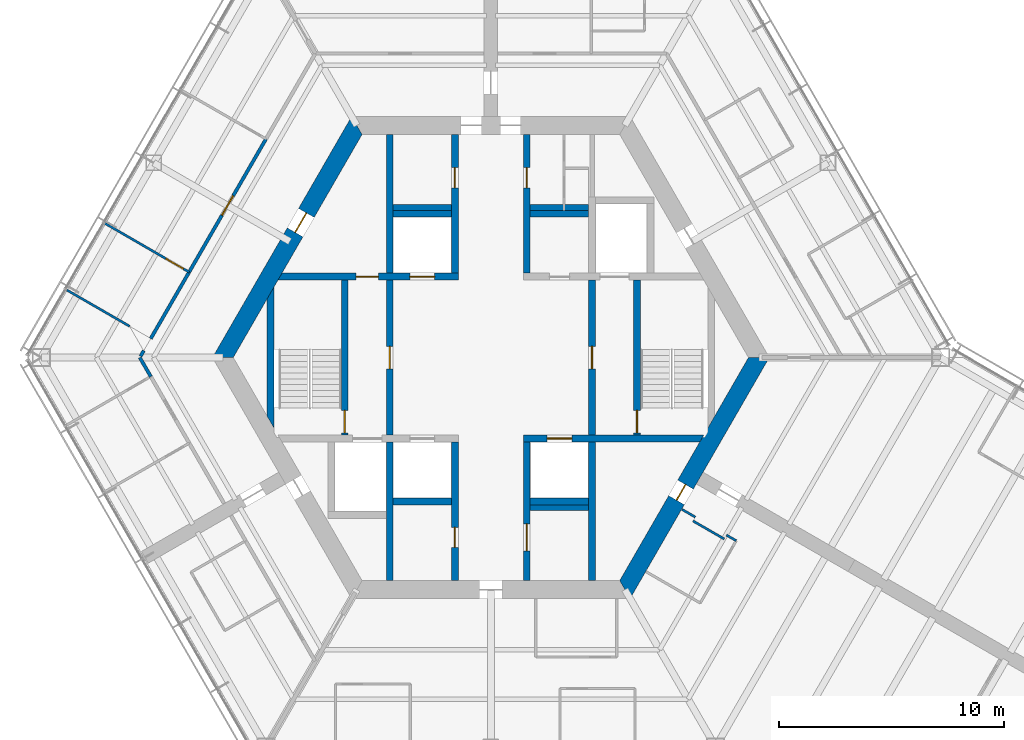
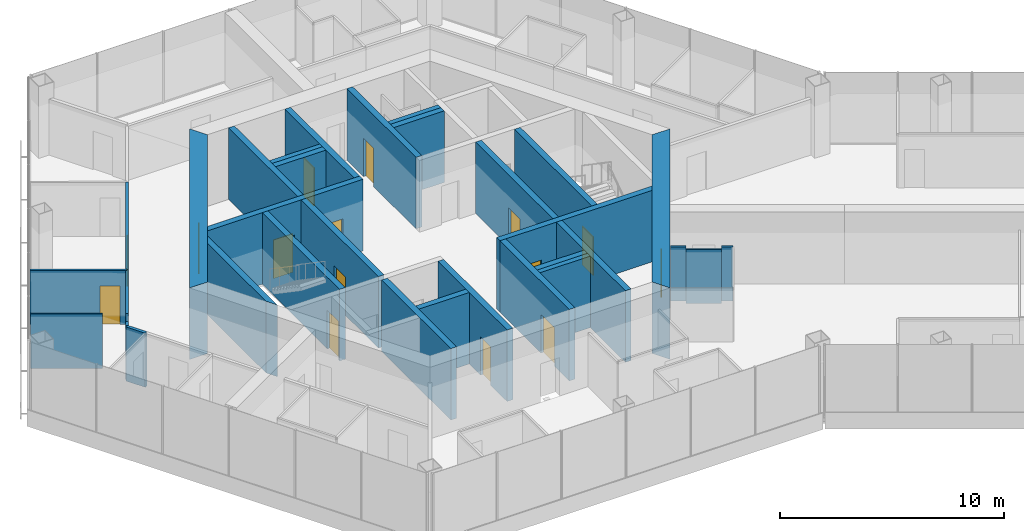
# One storey, part 11 of 17: 32 walls, 15 doors, 15 openings.
"""IFC4 building model written with IfcOpenShell, lengths in metres."""

from ifc_helpers import new_model, si_unit, direction, frame, frame_2d, origin, place, context, subcontext, project, spatial, polyline, rectangle, outline, extrude, material, layer, layer_set, type_object, element, fill, save


model = new_model("IFC4")

# Units and contexts
model_context = context("Model", 3, precision=1e-05, world=origin(), true_north=direction((0.0, 1.0)))
body_context = subcontext(model_context, "Body", "Model", "MODEL_VIEW")
ifc_project = project(units=[si_unit("LENGTHUNIT", "METRE"), si_unit("AREAUNIT", "SQUARE_METRE"), si_unit("VOLUMEUNIT", "CUBIC_METRE"), si_unit("PLANEANGLEUNIT", "RADIAN"), si_unit("MASSUNIT", "GRAM", prefix="KILO")], contexts=[model_context])

# Site, building, storey
site_placement = place(None, origin())
site = spatial("IfcSite", under=ifc_project, at=site_placement, CompositionType="ELEMENT")
building_placement = place(site_placement, origin())
building = spatial("IfcBuilding", under=site, at=building_placement, Name="Kasaneha Research Tower", CompositionType="ELEMENT")
storey_placement = place(building_placement, frame((0.0, 0.0, 224.5)))
storey = spatial("IfcBuildingStorey", under=building, at=storey_placement, Name="L56", CompositionType="ELEMENT", Elevation=224.5)

# Wall, openings, doors
ifc_material_1 = material(Name="Concrete Fc60", Category="concrete")
ifc_layer_1 = layer(ifc_material_1, 0.300048828125)
ifc_layer_set_1 = layer_set([ifc_layer_1], Name="Core internal wall 300 Fc60")
wall_type_1 = type_object("IfcWallType", Name="Core internal wall 300 Fc60", PredefinedType="SHEAR", material=ifc_layer_set_1)
wall_1_placement = place(storey_placement, frame((-9.3818359375, 3.60009765625, 0.0), z_axis=(0.0, 0.0, 1.0), x_axis=(1.0, 0.0, 0.0)))
wall_1 = element("IfcWall", 1, at=wall_1_placement, inside=storey, type_object=wall_type_1, Name="Core wall W1W L56", PredefinedType="SHEAR", context=body_context, shape_type="SweptSolid", body=[
    extrude(outline(polyline([(-0.086669921875, -0.14990234375), (3.3818359375, -0.14990234375), (4.3818359375, -0.14990234375), (5.781982421875, -0.14990234375), (6.882080078125, -0.14990234375), (7.931884765625, -0.14990234375), (7.931884765625, 0.14990234375), (6.882080078125, 0.14990234375), (5.781982421875, 0.14990234375), (4.3818359375, 0.14990234375), (3.3818359375, 0.14990234375), (0.086669921875, 0.14990234375), (-0.086669921875, -0.14990234375)])), origin(), (0.0, 0.0, 1.0), 3.89990234375),
])
opening_1_placement = place(wall_1_placement, frame((3.3818359375, 0.0, 0.0)))
opening_1 = element("IfcOpeningElement", 2, at=opening_1_placement, cuts=wall_1, Name="Opening L56-D12", PredefinedType="OPENING", context=body_context, shape_type="SweptSolid", body=[
    extrude(rectangle(XDim=1.0, YDim=2.10009765625, at=frame_2d((0.5, 1.050048828125))), frame((0.0, 0.16015625, 0.0), z_axis=(0.0, -1.0, 0.0), x_axis=(1.0, 0.0, 0.0)), (0.0, 0.0, 1.0), 0.320068359375),
])
opening_2_placement = place(wall_1_placement, frame((5.781982421875, 0.0, 0.0)))
opening_2 = element("IfcOpeningElement", 3, at=opening_2_placement, cuts=wall_1, Name="Opening LD-LH2-L56", PredefinedType="OPENING", context=body_context, shape_type="SweptSolid", body=[
    extrude(rectangle(XDim=1.10009765625, YDim=2.10009765625, at=frame_2d((0.550048828125, 1.050048828125))), frame((0.0, 0.16015625, 0.0), z_axis=(0.0, -1.0, 0.0), x_axis=(1.0, 0.0, 0.0)), (0.0, 0.0, 1.0), 0.320068359375),
])
ifc_material_2 = material(Name="Steel", Category="steel")
door_type_1 = type_object("IfcDoorType", Name="Lift landing door 1100x2100", OperationType="DOUBLE_DOOR_SLIDING", PredefinedType="DOOR", material=ifc_material_2)
door_1_placement = place(opening_2_placement, origin())
door_1 = element("IfcDoor", 4, at=door_1_placement, inside=storey, type_object=door_type_1, Name="Landing door LH2 LD-LH2-L56", OperationType="DOUBLE_DOOR_SLIDING", OverallHeight=2.10009765625, OverallWidth=1.10009765625, PredefinedType="DOOR", context=body_context, shape_type="SweptSolid", body=[
    extrude(rectangle(XDim=1.10009765625, YDim=2.10009765625, at=frame_2d((0.550048828125, 1.050048828125))), frame((0.0, 0.02490234375, 0.0), z_axis=(0.0, -1.0, 0.0), x_axis=(1.0, 0.0, 0.0)), (0.0, 0.0, 1.0), 0.050048828125),
])
fill(opening_2, door_1)
ifc_material_3 = material(Name="Steel", Category="steel")
door_type_2 = type_object("IfcDoorType", Name="Specified fire door FD60 1000x2100", OperationType="NOTDEFINED", PredefinedType="DOOR", material=ifc_material_3)
door_2_placement = place(opening_1_placement, origin())
door_2 = element("IfcDoor", 5, at=door_2_placement, inside=storey, type_object=door_type_2, Name="Vestibule to lobby door L56-D12", OperationType="SINGLE_SWING_LEFT", OverallHeight=2.10009765625, OverallWidth=1.0, PredefinedType="DOOR", context=body_context, shape_type="SweptSolid", body=[
    extrude(rectangle(XDim=1.0, YDim=2.10009765625, at=frame_2d((0.5, 1.050048828125))), frame((0.0, 0.02490234375, 0.0), z_axis=(0.0, -1.0, 0.0), x_axis=(1.0, 0.0, 0.0)), (0.0, 0.0, 1.0), 0.050048828125),
])
fill(opening_1, door_2)

# Wall, opening, door
wall_2_placement = place(storey_placement, frame((1.449951171875, -3.60009765625, 0.0), z_axis=(0.0, 0.0, 1.0), x_axis=(1.0, 0.0, 0.0)))
wall_2 = element("IfcWall", 6, at=wall_2_placement, inside=storey, type_object=wall_type_1, Name="Core wall W2E L56", PredefinedType="SHEAR", context=body_context, shape_type="SweptSolid", body=[
    extrude(outline(polyline([(0.0, -0.14990234375), (1.050048828125, -0.14990234375), (2.150146484375, -0.14990234375), (7.84521484375, -0.14990234375), (8.0185546875, 0.14990234375), (2.150146484375, 0.14990234375), (1.050048828125, 0.14990234375), (0.0, 0.14990234375), (0.0, -0.14990234375)])), origin(), (0.0, 0.0, 1.0), 3.89990234375),
])
opening_3_placement = place(wall_2_placement, frame((1.050048828125, 0.0, 0.0)))
opening_3 = element("IfcOpeningElement", 7, at=opening_3_placement, cuts=wall_2, Name="Opening LD-LH3-L56", PredefinedType="OPENING", context=body_context, shape_type="SweptSolid", body=[
    extrude(rectangle(XDim=1.10009765625, YDim=2.10009765625, at=frame_2d((0.550048828125, 1.050048828125))), frame((0.0, 0.16015625, 0.0), z_axis=(0.0, -1.0, 0.0), x_axis=(1.0, 0.0, 0.0)), (0.0, 0.0, 1.0), 0.320068359375),
])
door_3_placement = place(opening_3_placement, origin())
door_3 = element("IfcDoor", 8, at=door_3_placement, inside=storey, type_object=door_type_1, Name="Landing door LH3 LD-LH3-L56", OperationType="DOUBLE_DOOR_SLIDING", OverallHeight=2.10009765625, OverallWidth=1.10009765625, PredefinedType="DOOR", context=body_context, shape_type="SweptSolid", body=[
    extrude(rectangle(XDim=1.10009765625, YDim=2.10009765625, at=frame_2d((0.550048828125, 1.050048828125))), frame((0.0, 0.02490234375, 0.0), z_axis=(0.0, -1.0, 0.0), x_axis=(1.0, 0.0, 0.0)), (0.0, 0.0, 1.0), 0.050048828125),
])
fill(opening_3, door_3)

wall_3_placement = place(storey_placement, frame((-1.60009765625, 3.75, 0.0), z_axis=(0.0, 0.0, 1.0), x_axis=(0.0, 1.0, 0.0)))
wall_3 = element("IfcWall", 9, at=wall_3_placement, inside=storey, type_object=wall_type_1, Name="Core wall CNW L56", PredefinedType="SHEAR", context=body_context, shape_type="SweptSolid", body=[
    extrude(rectangle(XDim=6.175048828125, YDim=0.300048828125, at=frame_2d((3.08740234375, 0.0))), origin(), (0.0, 0.0, 1.0), 3.89990234375),
])
opening_4_placement = place(wall_3_placement, frame((3.800048828125, 0.0, 0.0)))
opening_4 = element("IfcOpeningElement", 10, at=opening_4_placement, cuts=wall_3, Name="Opening L56-D13", PredefinedType="OPENING", context=body_context, shape_type="SweptSolid", body=[
    extrude(rectangle(XDim=0.89990234375, YDim=2.10009765625, at=frame_2d((0.449951171875, 1.050048828125))), frame((0.0, 0.16015625, 0.0), z_axis=(0.0, -1.0, 0.0), x_axis=(1.0, 0.0, 0.0)), (0.0, 0.0, 1.0), 0.320068359375),
])
ifc_material_4 = material(Name="Steel", Category="steel")
door_type_3 = type_object("IfcDoorType", Name="Toilet door FD20 900x2100", OperationType="NOTDEFINED", PredefinedType="DOOR", material=ifc_material_4)
door_4_placement = place(opening_4_placement, origin())
door_4 = element("IfcDoor", 11, at=door_4_placement, inside=storey, type_object=door_type_3, Name="Men's WC door L56-D13", OperationType="SINGLE_SWING_LEFT", OverallHeight=2.10009765625, OverallWidth=0.89990234375, PredefinedType="DOOR", context=body_context, shape_type="SweptSolid", body=[
    extrude(rectangle(XDim=0.89990234375, YDim=2.10009765625, at=frame_2d((0.449951171875, 1.050048828125))), frame((0.0, 0.02490234375, 0.0), z_axis=(0.0, -1.0, 0.0), x_axis=(1.0, 0.0, 0.0)), (0.0, 0.0, 1.0), 0.050048828125),
])
fill(opening_4, door_4)

wall_4_placement = place(storey_placement, frame((1.60009765625, 3.75, 0.0), z_axis=(0.0, 0.0, 1.0), x_axis=(0.0, 1.0, 0.0)))
wall_4 = element("IfcWall", 12, at=wall_4_placement, inside=storey, type_object=wall_type_1, Name="Core wall CNE L56", PredefinedType="SHEAR", context=body_context, shape_type="SweptSolid", body=[
    extrude(rectangle(XDim=6.175048828125, YDim=0.300048828125, at=frame_2d((3.08740234375, 0.0))), origin(), (0.0, 0.0, 1.0), 3.89990234375),
])
opening_5_placement = place(wall_4_placement, frame((3.800048828125, 0.0, 0.0)))
opening_5 = element("IfcOpeningElement", 13, at=opening_5_placement, cuts=wall_4, Name="Opening L56-D14", PredefinedType="OPENING", context=body_context, shape_type="SweptSolid", body=[
    extrude(rectangle(XDim=0.89990234375, YDim=2.10009765625, at=frame_2d((0.449951171875, 1.050048828125))), frame((0.0, 0.16015625, 0.0), z_axis=(0.0, -1.0, 0.0), x_axis=(1.0, 0.0, 0.0)), (0.0, 0.0, 1.0), 0.320068359375),
])
door_5_placement = place(opening_5_placement, origin())
door_5 = element("IfcDoor", 14, at=door_5_placement, inside=storey, type_object=door_type_3, Name="Women's WC door L56-D14", OperationType="SINGLE_SWING_LEFT", OverallHeight=2.10009765625, OverallWidth=0.89990234375, PredefinedType="DOOR", context=body_context, shape_type="SweptSolid", body=[
    extrude(rectangle(XDim=0.89990234375, YDim=2.10009765625, at=frame_2d((0.449951171875, 1.050048828125))), frame((0.0, 0.02490234375, 0.0), z_axis=(0.0, -1.0, 0.0), x_axis=(1.0, 0.0, 0.0)), (0.0, 0.0, 1.0), 0.050048828125),
])
fill(opening_5, door_5)

wall_5_placement = place(storey_placement, frame((-1.60009765625, -3.75, 0.0), z_axis=(0.0, 0.0, 1.0), x_axis=(0.0, -1.0, 0.0)))
wall_5 = element("IfcWall", 15, at=wall_5_placement, inside=storey, type_object=wall_type_1, Name="Core wall CSW L56", PredefinedType="SHEAR", context=body_context, shape_type="SweptSolid", body=[
    extrude(rectangle(XDim=6.175048828125, YDim=0.300048828125, at=frame_2d((3.08740234375, 0.0))), origin(), (0.0, 0.0, 1.0), 3.89990234375),
])
opening_6_placement = place(wall_5_placement, frame((3.800048828125, 0.0, 0.0)))
opening_6 = element("IfcOpeningElement", 16, at=opening_6_placement, cuts=wall_5, Name="Opening L56-D16", PredefinedType="OPENING", context=body_context, shape_type="SweptSolid", body=[
    extrude(rectangle(XDim=0.89990234375, YDim=2.10009765625, at=frame_2d((0.449951171875, 1.050048828125))), frame((0.0, 0.16015625, 0.0), z_axis=(0.0, -1.0, 0.0), x_axis=(1.0, 0.0, 0.0)), (0.0, 0.0, 1.0), 0.320068359375),
])
ifc_material_5 = material(Name="Steel", Category="steel")
door_type_4 = type_object("IfcDoorType", Name="Riser access door FD60 900x2100", OperationType="NOTDEFINED", PredefinedType="DOOR", material=ifc_material_5)
door_6_placement = place(opening_6_placement, origin())
door_6 = element("IfcDoor", 17, at=door_6_placement, inside=storey, type_object=door_type_4, Name="Electrical riser door L56-D16", OperationType="SINGLE_SWING_LEFT", OverallHeight=2.10009765625, OverallWidth=0.89990234375, PredefinedType="DOOR", context=body_context, shape_type="SweptSolid", body=[
    extrude(rectangle(XDim=0.89990234375, YDim=2.10009765625, at=frame_2d((0.449951171875, 1.050048828125))), frame((0.0, 0.02490234375, 0.0), z_axis=(0.0, -1.0, 0.0), x_axis=(1.0, 0.0, 0.0)), (0.0, 0.0, 1.0), 0.050048828125),
])
fill(opening_6, door_6)

wall_6_placement = place(storey_placement, frame((1.60009765625, -3.75, 0.0), z_axis=(0.0, 0.0, 1.0), x_axis=(0.0, -1.0, 0.0)))
wall_6 = element("IfcWall", 18, at=wall_6_placement, inside=storey, type_object=wall_type_1, Name="Core wall CSE L56", PredefinedType="SHEAR", context=body_context, shape_type="SweptSolid", body=[
    extrude(rectangle(XDim=6.175048828125, YDim=0.300048828125, at=frame_2d((3.08740234375, 0.0))), origin(), (0.0, 0.0, 1.0), 3.89990234375),
])
opening_7_placement = place(wall_6_placement, frame((3.64990234375, 0.0, 0.0)))
opening_7 = element("IfcOpeningElement", 19, at=opening_7_placement, cuts=wall_6, Name="Opening L56-D15", PredefinedType="OPENING", context=body_context, shape_type="SweptSolid", body=[
    extrude(rectangle(XDim=1.199951171875, YDim=2.10009765625, at=frame_2d((0.60009765625, 1.050048828125))), frame((0.0, 0.16015625, 0.0), z_axis=(0.0, -1.0, 0.0), x_axis=(1.0, 0.0, 0.0)), (0.0, 0.0, 1.0), 0.320068359375),
])
ifc_material_6 = material(Name="Steel", Category="steel")
door_type_5 = type_object("IfcDoorType", Name="Accessible toilet sliding door FD20 1200x2100", OperationType="SLIDING_TO_LEFT", PredefinedType="DOOR", material=ifc_material_6)
door_7_placement = place(opening_7_placement, origin())
door_7 = element("IfcDoor", 20, at=door_7_placement, inside=storey, type_object=door_type_5, Name="Accessible WC door L56-D15", OperationType="SLIDING_TO_LEFT", OverallHeight=2.10009765625, OverallWidth=1.199951171875, PredefinedType="DOOR", context=body_context, shape_type="SweptSolid", body=[
    extrude(rectangle(XDim=1.199951171875, YDim=2.10009765625, at=frame_2d((0.60009765625, 1.050048828125))), frame((0.0, 0.02490234375, 0.0), z_axis=(0.0, -1.0, 0.0), x_axis=(1.0, 0.0, 0.0)), (0.0, 0.0, 1.0), 0.050048828125),
])
fill(opening_7, door_7)

wall_7_placement = place(storey_placement, frame((-4.5, -3.449951171875, 0.0), z_axis=(0.0, 0.0, 1.0), x_axis=(0.0, 1.0, 0.0)))
wall_7 = element("IfcWall", 21, at=wall_7_placement, inside=storey, type_object=wall_type_1, Name="Core wall LBW L56", PredefinedType="SHEAR", context=body_context, shape_type="SweptSolid", body=[
    extrude(rectangle(XDim=6.89990234375, YDim=0.300048828125, at=frame_2d((3.449951171875, 0.0))), origin(), (0.0, 0.0, 1.0), 3.89990234375),
])
opening_8_placement = place(wall_7_placement, frame((2.949951171875, 0.0, 0.0)))
opening_8 = element("IfcOpeningElement", 22, at=opening_8_placement, cuts=wall_7, Name="Opening L56-D09", PredefinedType="OPENING", context=body_context, shape_type="SweptSolid", body=[
    extrude(rectangle(XDim=1.0, YDim=2.10009765625, at=frame_2d((0.5, 1.050048828125))), frame((0.0, 0.16015625, 0.0), z_axis=(0.0, -1.0, 0.0), x_axis=(1.0, 0.0, 0.0)), (0.0, 0.0, 1.0), 0.320068359375),
])
door_8_placement = place(opening_8_placement, origin())
door_8 = element("IfcDoor", 23, at=door_8_placement, inside=storey, type_object=door_type_2, Name="Lift lobby door west L56-D09", OperationType="SINGLE_SWING_LEFT", OverallHeight=2.10009765625, OverallWidth=1.0, PredefinedType="DOOR", context=body_context, shape_type="SweptSolid", body=[
    extrude(rectangle(XDim=1.0, YDim=2.10009765625, at=frame_2d((0.5, 1.050048828125))), frame((0.0, 0.02490234375, 0.0), z_axis=(0.0, -1.0, 0.0), x_axis=(1.0, 0.0, 0.0)), (0.0, 0.0, 1.0), 0.050048828125),
])
fill(opening_8, door_8)

wall_8_placement = place(storey_placement, frame((4.5, -3.449951171875, 0.0), z_axis=(0.0, 0.0, 1.0), x_axis=(0.0, 1.0, 0.0)))
wall_8 = element("IfcWall", 24, at=wall_8_placement, inside=storey, type_object=wall_type_1, Name="Core wall LBE L56", PredefinedType="SHEAR", context=body_context, shape_type="SweptSolid", body=[
    extrude(rectangle(XDim=6.89990234375, YDim=0.300048828125, at=frame_2d((3.449951171875, 0.0))), origin(), (0.0, 0.0, 1.0), 3.89990234375),
])
opening_9_placement = place(wall_8_placement, frame((2.949951171875, 0.0, 0.0)))
opening_9 = element("IfcOpeningElement", 25, at=opening_9_placement, cuts=wall_8, Name="Opening L56-D08", PredefinedType="OPENING", context=body_context, shape_type="SweptSolid", body=[
    extrude(rectangle(XDim=1.0, YDim=2.10009765625, at=frame_2d((0.5, 1.050048828125))), frame((0.0, 0.16015625, 0.0), z_axis=(0.0, -1.0, 0.0), x_axis=(1.0, 0.0, 0.0)), (0.0, 0.0, 1.0), 0.320068359375),
])
door_9_placement = place(opening_9_placement, origin())
door_9 = element("IfcDoor", 26, at=door_9_placement, inside=storey, type_object=door_type_2, Name="Lift lobby door east L56-D08", OperationType="SINGLE_SWING_LEFT", OverallHeight=2.10009765625, OverallWidth=1.0, PredefinedType="DOOR", context=body_context, shape_type="SweptSolid", body=[
    extrude(rectangle(XDim=1.0, YDim=2.10009765625, at=frame_2d((0.5, 1.050048828125))), frame((0.0, 0.02490234375, 0.0), z_axis=(0.0, -1.0, 0.0), x_axis=(1.0, 0.0, 0.0)), (0.0, 0.0, 1.0), 0.050048828125),
])
fill(opening_9, door_9)

wall_9_placement = place(storey_placement, frame((-6.5, -3.449951171875, 0.0), z_axis=(0.0, 0.0, 1.0), x_axis=(0.0, 1.0, 0.0)))
wall_9 = element("IfcWall", 27, at=wall_9_placement, inside=storey, type_object=wall_type_1, Name="Core wall ANW L56", PredefinedType="SHEAR", context=body_context, shape_type="SweptSolid", body=[
    extrude(rectangle(XDim=6.89990234375, YDim=0.300048828125, at=frame_2d((3.449951171875, 0.0))), origin(), (0.0, 0.0, 1.0), 3.89990234375),
])
opening_10_placement = place(wall_9_placement, frame((0.10009765625, 0.0, 0.0)))
opening_10 = element("IfcOpeningElement", 28, at=opening_10_placement, cuts=wall_9, Name="Opening L56-D11", PredefinedType="OPENING", context=body_context, shape_type="SweptSolid", body=[
    extrude(rectangle(XDim=1.0, YDim=2.10009765625, at=frame_2d((0.5, 1.050048828125))), frame((0.0, 0.16015625, 0.0), z_axis=(0.0, -1.0, 0.0), x_axis=(1.0, 0.0, 0.0)), (0.0, 0.0, 1.0), 0.320068359375),
])
door_10_placement = place(opening_10_placement, origin())
door_10 = element("IfcDoor", 29, at=door_10_placement, inside=storey, type_object=door_type_2, Name="Stair 2 door L56-D11", OperationType="SINGLE_SWING_LEFT", OverallHeight=2.10009765625, OverallWidth=1.0, PredefinedType="DOOR", context=body_context, shape_type="SweptSolid", body=[
    extrude(rectangle(XDim=1.0, YDim=2.10009765625, at=frame_2d((0.5, 1.050048828125))), frame((0.0, 0.02490234375, 0.0), z_axis=(0.0, -1.0, 0.0), x_axis=(1.0, 0.0, 0.0)), (0.0, 0.0, 1.0), 0.050048828125),
])
fill(opening_10, door_10)

wall_10_placement = place(storey_placement, frame((6.5, -3.449951171875, 0.0), z_axis=(0.0, 0.0, 1.0), x_axis=(0.0, 1.0, 0.0)))
wall_10 = element("IfcWall", 30, at=wall_10_placement, inside=storey, type_object=wall_type_1, Name="Core wall ANE L56", PredefinedType="SHEAR", context=body_context, shape_type="SweptSolid", body=[
    extrude(rectangle(XDim=6.89990234375, YDim=0.300048828125, at=frame_2d((3.449951171875, 0.0))), origin(), (0.0, 0.0, 1.0), 3.89990234375),
])
opening_11_placement = place(wall_10_placement, frame((0.10009765625, 0.0, 0.0)))
opening_11 = element("IfcOpeningElement", 31, at=opening_11_placement, cuts=wall_10, Name="Opening L56-D10", PredefinedType="OPENING", context=body_context, shape_type="SweptSolid", body=[
    extrude(rectangle(XDim=1.0, YDim=2.10009765625, at=frame_2d((0.5, 1.050048828125))), frame((0.0, 0.16015625, 0.0), z_axis=(0.0, -1.0, 0.0), x_axis=(1.0, 0.0, 0.0)), (0.0, 0.0, 1.0), 0.320068359375),
])
door_11_placement = place(opening_11_placement, origin())
door_11 = element("IfcDoor", 32, at=door_11_placement, inside=storey, type_object=door_type_2, Name="Stair 1 door L56-D10", OperationType="SINGLE_SWING_LEFT", OverallHeight=2.10009765625, OverallWidth=1.0, PredefinedType="DOOR", context=body_context, shape_type="SweptSolid", body=[
    extrude(rectangle(XDim=1.0, YDim=2.10009765625, at=frame_2d((0.5, 1.050048828125))), frame((0.0, 0.02490234375, 0.0), z_axis=(0.0, -1.0, 0.0), x_axis=(1.0, 0.0, 0.0)), (0.0, 0.0, 1.0), 0.050048828125),
])
fill(opening_11, door_11)

# Walls
for number, where, z_axis, x_axis, name in (
    (33, (-4.5, 3.75, 0.0), (0.0, 0.0, 1.0), (0.0, 1.0, 0.0), "Core wall VNW L56"),
    (34, (-4.5, -3.75, 0.0), (0.0, 0.0, 1.0), (0.0, -1.0, 0.0), "Core wall SSW L56"),
    (35, (4.5, -3.75, 0.0), (0.0, 0.0, 1.0), (0.0, -1.0, 0.0), "Core wall SSE L56"),
):
    element("IfcWall", number, at=place(storey_placement, frame(where, z_axis=z_axis, x_axis=x_axis)), inside=storey, type_object=wall_type_1, Name=name, PredefinedType="SHEAR", context=body_context, shape_type="SweptSolid", body=[
        extrude(rectangle(XDim=6.175048828125, YDim=0.300048828125, at=frame_2d((3.08740234375, 0.0))), origin(), (0.0, 0.0, 1.0), 3.89990234375),
    ])
for number, where, z_axis, x_axis, name in (
    (36, (-4.35009765625, 6.39990234375, 0.0), (0.0, 0.0, 1.0), (1.0, 0.0, 0.0), "Core wall N1N L56"),
    (37, (1.75, 6.39990234375, 0.0), (0.0, 0.0, 1.0), (1.0, 0.0, 0.0), "Core wall N3N L56"),
    (38, (-4.35009765625, -6.39990234375, 0.0), (0.0, 0.0, 1.0), (1.0, 0.0, 0.0), "Core wall S1S L56"),
    (39, (1.75, -6.39990234375, 0.0), (0.0, 0.0, 1.0), (1.0, 0.0, 0.0), "Core wall S3S L56"),
):
    element("IfcWall", number, at=place(storey_placement, frame(where, z_axis=z_axis, x_axis=x_axis)), inside=storey, type_object=wall_type_1, Name=name, PredefinedType="SHEAR", context=body_context, shape_type="SweptSolid", body=[
        extrude(rectangle(XDim=2.60009765625, YDim=0.300048828125, at=frame_2d((1.300048828125, 0.0))), origin(), (0.0, 0.0, 1.0), 3.89990234375),
    ])
wall_11_placement = place(storey_placement, frame((-9.807861328125, -2.8623046875, 0.0), z_axis=(0.0, 0.0, 1.0), x_axis=(0.0, 1.0, 0.0)))
element("IfcWall", 40, at=wall_11_placement, inside=storey, type_object=wall_type_1, Name="Core wall STW L56", PredefinedType="SHEAR", context=body_context, shape_type="SweptSolid", body=[
    extrude(outline(polyline([(-0.259765625, -0.14990234375), (5.984375, -0.14990234375), (5.46484375, 0.14990234375), (0.259765625, 0.14990234375), (-0.259765625, -0.14990234375)])), origin(), (0.0, 0.0, 1.0), 3.89990234375),
])

# Wall, opening, door
ifc_material_7 = material(Name="Concrete Fc60", Category="concrete")
ifc_layer_2 = layer(ifc_material_7, 0.800048828125)
ifc_layer_set_2 = layer_set([ifc_layer_2], Name="Core wall 800 Fc60")
wall_type_2 = type_object("IfcWallType", Name="Core wall 800 Fc60", PredefinedType="SHEAR", material=ifc_layer_set_2)
wall_12_placement = place(storey_placement, frame((-5.961181640625, 10.324951171875, 0.0), z_axis=(0.0, 0.0, 1.0), x_axis=(-0.500004296715, -0.866022923061, 0.0)))
wall_12 = element("IfcWall", 41, at=wall_12_placement, inside=storey, type_object=wall_type_2, Name="Core wall 150 L56", PredefinedType="SHEAR", context=body_context, shape_type="SweptSolid", body=[
    extrude(outline(polyline([(-0.23095703125, -0.39990234375), (4.494140625, -0.39990234375), (5.494140625, -0.39990234375), (12.1533203125, -0.39990234375), (11.69140625, 0.39990234375), (5.494140625, 0.39990234375), (4.494140625, 0.39990234375), (0.23095703125, 0.39990234375), (-0.23095703125, -0.39990234375)])), origin(), (0.0, 0.0, 1.0), 3.89990234375),
])
opening_12_placement = place(wall_12_placement, frame((4.494140625, 0.0, 0.0)))
opening_12 = element("IfcOpeningElement", 42, at=opening_12_placement, cuts=wall_12, Name="Opening L56-D07", PredefinedType="OPENING", context=body_context, shape_type="SweptSolid", body=[
    extrude(rectangle(XDim=1.0, YDim=2.10009765625, at=frame_2d((0.5, 1.050048828125))), frame((0.0, 0.41015625, 0.0), z_axis=(0.0, -1.0, 0.0), x_axis=(1.0, 0.0, 0.0)), (0.0, 0.0, 1.0), 0.820068359375),
])
ifc_material_8 = material(Name="Steel", Category="steel")
door_type_6 = type_object("IfcDoorType", Name="Fire door FD20 1000x2100", OperationType="NOTDEFINED", PredefinedType="DOOR", material=ifc_material_8)
door_12_placement = place(opening_12_placement, origin())
door_12 = element("IfcDoor", 43, at=door_12_placement, inside=storey, type_object=door_type_6, Name="Vestibule door L56-D07", OperationType="SINGLE_SWING_LEFT", OverallHeight=2.10009765625, OverallWidth=1.0, PredefinedType="DOOR", context=body_context, shape_type="SweptSolid", body=[
    extrude(rectangle(XDim=1.0, YDim=2.10009765625, at=frame_2d((0.5, 1.050048828125))), frame((0.0, 0.02490234375, 0.0), z_axis=(0.0, -1.0, 0.0), x_axis=(1.0, 0.0, 0.0)), (0.0, 0.0, 1.0), 0.050048828125),
])
fill(opening_12, door_12)

wall_13_placement = place(storey_placement, frame((5.961181640625, -10.324951171875, 0.0), z_axis=(0.0, 0.0, 1.0), x_axis=(0.500004296715, 0.866022923061, 0.0)))
wall_13 = element("IfcWall", 44, at=wall_13_placement, inside=storey, type_object=wall_type_2, Name="Core wall 330 L56", PredefinedType="SHEAR", context=body_context, shape_type="SweptSolid", body=[
    extrude(outline(polyline([(-0.23095703125, -0.39990234375), (4.593994140625, -0.39990234375), (5.39404296875, -0.39990234375), (12.1533203125, -0.39990234375), (11.69140625, 0.39990234375), (5.39404296875, 0.39990234375), (4.593994140625, 0.39990234375), (0.23095703125, 0.39990234375), (-0.23095703125, -0.39990234375)])), origin(), (0.0, 0.0, 1.0), 3.89990234375),
])
opening_13_placement = place(wall_13_placement, frame((4.593994140625, 0.0, 0.0)))
opening_13 = element("IfcOpeningElement", 45, at=opening_13_placement, cuts=wall_13, Name="Opening L56-D05", PredefinedType="OPENING", context=body_context, shape_type="SweptSolid", body=[
    extrude(rectangle(XDim=0.800048828125, YDim=2.10009765625, at=frame_2d((0.39990234375, 1.050048828125))), frame((0.0, 0.41015625, 0.0), z_axis=(0.0, -1.0, 0.0), x_axis=(1.0, 0.0, 0.0)), (0.0, 0.0, 1.0), 0.820068359375),
])
ifc_material_9 = material(Name="Steel", Category="steel")
door_type_7 = type_object("IfcDoorType", Name="Riser access door FD60 800x2100", OperationType="NOTDEFINED", PredefinedType="DOOR", material=ifc_material_9)
door_13_placement = place(opening_13_placement, origin())
door_13 = element("IfcDoor", 46, at=door_13_placement, inside=storey, type_object=door_type_7, Name="Pipe riser door L56-D05", OperationType="SINGLE_SWING_LEFT", OverallHeight=2.10009765625, OverallWidth=0.800048828125, PredefinedType="DOOR", context=body_context, shape_type="SweptSolid", body=[
    extrude(rectangle(XDim=0.800048828125, YDim=2.10009765625, at=frame_2d((0.39990234375, 1.050048828125))), frame((0.0, 0.02490234375, 0.0), z_axis=(0.0, -1.0, 0.0), x_axis=(1.0, 0.0, 0.0)), (0.0, 0.0, 1.0), 0.050048828125),
])
fill(opening_13, door_13)

# Wall
ifc_material_10 = material(Name="Gypsum board on steel studs, one layer each side", Category="steel")
ifc_layer_3 = layer(ifc_material_10, 0.10009765625)
ifc_layer_set_3 = layer_set([ifc_layer_3], Name="Office partition 100")
wall_type_3 = type_object("IfcWallType", Name="Office partition 100", PredefinedType="PARTITIONING", material=ifc_layer_set_3)
wall_14_placement = place(storey_placement, frame((-16.06689453125, 1.388427734375, 0.0), z_axis=(0.0, 0.0, 1.0), x_axis=(-0.866010186656, 0.500026355914, 0.0)))
element("IfcWall", 47, at=wall_14_placement, inside=storey, type_object=wall_type_3, Name="Office partition FBN08 L56", PredefinedType="PARTITIONING", context=body_context, shape_type="SweptSolid", body=[
    extrude(rectangle(XDim=3.221923828125, YDim=0.10009765625, at=frame_2d((1.61083984375, 0.0))), origin(), (0.0, 0.0, 1.0), 2.949951171875),
])

# Wall, opening, door
wall_15_placement = place(storey_placement, frame((-17.1708984375, 5.969970703125, 0.0), z_axis=(0.0, 0.0, 1.0), x_axis=(0.865485466478, -0.500934034894, 0.0)))
wall_15 = element("IfcWall", 48, at=wall_15_placement, inside=storey, type_object=wall_type_3, Name="Office partition FBN09 L56", PredefinedType="PARTITIONING", context=body_context, shape_type="SweptSolid", body=[
    extrude(rectangle(XDim=4.330322265625, YDim=0.10009765625, at=frame_2d((2.1650390625, 0.0))), origin(), (0.0, 0.0, 1.0), 2.949951171875),
])
opening_14_placement = place(wall_15_placement, frame((3.130615234375, 0.0, 0.0)))
opening_14 = element("IfcOpeningElement", 49, at=opening_14_placement, cuts=wall_15, Name="Opening L56-D35", PredefinedType="OPENING", context=body_context, shape_type="SweptSolid", body=[
    extrude(rectangle(XDim=0.89990234375, YDim=2.10009765625, at=frame_2d((0.449951171875, 1.050048828125))), frame((0.0, 0.06005859375, 0.0), z_axis=(0.0, -1.0, 0.0), x_axis=(1.0, 0.0, 0.0)), (0.0, 0.0, 1.0), 0.1201171875),
])
ifc_material_11 = material(Name="Timber veneer", Category="wood")
door_type_8 = type_object("IfcDoorType", Name="Office door 900x2100", OperationType="SINGLE_SWING_LEFT", PredefinedType="DOOR", material=ifc_material_11)
door_14_placement = place(opening_14_placement, origin())
door_14 = element("IfcDoor", 50, at=door_14_placement, inside=storey, type_object=door_type_8, Name="Meeting room door L56-D35", OperationType="SINGLE_SWING_RIGHT", OverallHeight=2.10009765625, OverallWidth=0.89990234375, PredefinedType="DOOR", context=body_context, shape_type="SweptSolid", body=[
    extrude(rectangle(XDim=0.89990234375, YDim=2.10009765625, at=frame_2d((0.449951171875, 1.050048828125))), frame((0.0, 0.02490234375, 0.0), z_axis=(0.0, -1.0, 0.0), x_axis=(1.0, 0.0, 0.0)), (0.0, 0.0, 1.0), 0.050048828125),
])
fill(opening_14, door_14)

# Walls
wall_16_placement = place(storey_placement, frame((8.50537109375, -6.758056640625, 0.0), z_axis=(0.0, 0.0, 1.0), x_axis=(0.865958369053, -0.50011608959, 0.0)))
element("IfcWall", 51, at=wall_16_placement, inside=storey, type_object=wall_type_3, Name="Office partition FCS01 L56", PredefinedType="PARTITIONING", context=body_context, shape_type="SweptSolid", body=[
    extrude(rectangle(XDim=0.679931640625, YDim=0.10009765625, at=frame_2d((0.33984375, 0.0))), origin(), (0.0, 0.0, 1.0), 2.949951171875),
])
wall_17_placement = place(storey_placement, frame((8.994384765625, -7.271240234375, 0.0), z_axis=(0.0, 0.0, 1.0), x_axis=(0.865989903783, -0.500061482766, 0.0)))
element("IfcWall", 52, at=wall_17_placement, inside=storey, type_object=wall_type_3, Name="Office partition FCS02 L56", PredefinedType="PARTITIONING", context=body_context, shape_type="SweptSolid", body=[
    extrude(rectangle(XDim=1.599853515625, YDim=0.10009765625, at=frame_2d((0.7998046875, 0.0))), origin(), (0.0, 0.0, 1.0), 2.949951171875),
])
wall_18_placement = place(storey_placement, frame((10.47998046875, -7.898193359375, 0.0), z_axis=(0.0, 0.0, 1.0), x_axis=(0.866071776036, -0.499919672301, 0.0)))
element("IfcWall", 53, at=wall_18_placement, inside=storey, type_object=wall_type_3, Name="Office partition FCS04 L56", PredefinedType="PARTITIONING", context=body_context, shape_type="SweptSolid", body=[
    extrude(rectangle(XDim=0.5, YDim=0.10009765625, at=frame_2d((0.25, 0.0))), origin(), (0.0, 0.0, 1.0), 2.949951171875),
])
ifc_material_12 = material(Name="Gypsum board on steel studs, two layers each side", Category="steel")
ifc_layer_4 = layer(ifc_material_12, 0.14990234375)
ifc_layer_set_4 = layer_set([ifc_layer_4], Name="Suite partition 150")
wall_type_4 = type_object("IfcWallType", Name="Suite partition 150", PredefinedType="PARTITIONING", material=ifc_layer_set_4)
wall_19_placement = place(storey_placement, frame((-15.131103515625, 0.84228515625, 0.0), z_axis=(0.0, 0.0, 1.0), x_axis=(0.500032973541, 0.866006365664, 0.0)))
element("IfcWall", 54, at=wall_19_placement, inside=storey, type_object=wall_type_4, Name="Suite partition FBN01 L56", PredefinedType="PARTITIONING", context=body_context, shape_type="SweptSolid", body=[
    extrude(rectangle(XDim=3.425537109375, YDim=0.14990234375, at=frame_2d((1.712890625, 0.0))), origin(), (0.0, 0.0, 1.0), 2.949951171875),
])
wall_20_placement = place(storey_placement, frame((-15.584716796875, 0.056396484375, 0.0), z_axis=(0.0, 0.0, 1.0), x_axis=(0.500164219654, 0.865930570761, 0.0)))
element("IfcWall", 55, at=wall_20_placement, inside=storey, type_object=wall_type_4, Name="Suite partition FBN04 L56", PredefinedType="PARTITIONING", context=body_context, shape_type="SweptSolid", body=[
    extrude(rectangle(XDim=0.287109375, YDim=0.14990234375, at=frame_2d((0.1435546875, 0.0))), origin(), (0.0, 0.0, 1.0), 2.949951171875),
])
wall_21_placement = place(storey_placement, frame((-15.1259765625, -0.85107421875, 0.0), z_axis=(0.0, 0.0, 1.0), x_axis=(-0.499880173341, 0.866094574686, 0.0)))
element("IfcWall", 56, at=wall_21_placement, inside=storey, type_object=wall_type_4, Name="Suite partition FBN05 L56", PredefinedType="PARTITIONING", context=body_context, shape_type="SweptSolid", body=[
    extrude(rectangle(XDim=0.982666015625, YDim=0.14990234375, at=frame_2d((0.4912109375, 0.0))), origin(), (0.0, 0.0, 1.0), 2.949951171875),
])

# Wall, opening, door
wall_22_placement = place(storey_placement, frame((-13.423095703125, 3.80078125, 0.0), z_axis=(0.0, 0.0, 1.0), x_axis=(0.500020088259, 0.866013805512, 0.0)))
wall_22 = element("IfcWall", 57, at=wall_22_placement, inside=storey, type_object=wall_type_4, Name="Suite partition FBN06 L56", PredefinedType="PARTITIONING", context=body_context, shape_type="SweptSolid", body=[
    extrude(rectangle(XDim=6.840087890625, YDim=0.14990234375, at=frame_2d((3.419921875, 0.0))), origin(), (0.0, 0.0, 1.0), 2.949951171875),
])
opening_15_placement = place(wall_22_placement, frame((2.919921875, 0.0, 0.0)))
opening_15 = element("IfcOpeningElement", 58, at=opening_15_placement, cuts=wall_22, Name="Opening L56-D33", PredefinedType="OPENING", context=body_context, shape_type="SweptSolid", body=[
    extrude(rectangle(XDim=1.0, YDim=2.10009765625, at=frame_2d((0.5, 1.050048828125))), frame((0.0, 0.0849609375, 0.0), z_axis=(0.0, -1.0, 0.0), x_axis=(1.0, 0.0, 0.0)), (0.0, 0.0, 1.0), 0.169921875),
])
ifc_material_13 = material(Name="Steel", Category="steel")
door_type_9 = type_object("IfcDoorType", Name="Suite entrance door FD60 1000x2100", OperationType="NOTDEFINED", PredefinedType="DOOR", material=ifc_material_13)
door_15_placement = place(opening_15_placement, origin())
door_15 = element("IfcDoor", 59, at=door_15_placement, inside=storey, type_object=door_type_9, Name="Suite entrance door L56-D33", OperationType="SINGLE_SWING_RIGHT", OverallHeight=2.10009765625, OverallWidth=1.0, PredefinedType="DOOR", context=body_context, shape_type="SweptSolid", body=[
    extrude(rectangle(XDim=1.0, YDim=2.10009765625, at=frame_2d((0.5, 1.050048828125))), frame((0.0, 0.02490234375, 0.0), z_axis=(0.0, -1.0, 0.0), x_axis=(1.0, 0.0, 0.0)), (0.0, 0.0, 1.0), 0.050048828125),
])
fill(opening_15, door_15)

# Walls
ifc_material_14 = material(Name="Concrete block lining", Category="concrete")
ifc_layer_5 = layer(ifc_material_14, 0.25)
ifc_layer_set_5 = layer_set([ifc_layer_5], Name="WC plumbing wall 250")
wall_type_5 = type_object("IfcWallType", Name="WC plumbing wall 250", PredefinedType="PLUMBINGWALL", material=ifc_layer_set_5)
for number, where, z_axis, x_axis, name in (
    (60, (-4.35009765625, 6.675048828125, 0.0), (0.0, 0.0, 1.0), (1.0, 0.0, 0.0), "WC plumbing wall M L56"),
    (61, (1.75, 6.675048828125, 0.0), (0.0, 0.0, 1.0), (1.0, 0.0, 0.0), "WC plumbing wall F L56"),
    (62, (1.75, -6.675048828125, 0.0), (0.0, 0.0, 1.0), (1.0, 0.0, 0.0), "WC plumbing wall A L56"),
):
    element("IfcWall", number, at=place(storey_placement, frame(where, z_axis=z_axis, x_axis=x_axis)), inside=storey, type_object=wall_type_5, Name=name, PredefinedType="PLUMBINGWALL", context=body_context, shape_type="SweptSolid", body=[
        extrude(rectangle(XDim=2.60009765625, YDim=0.25, at=frame_2d((1.300048828125, 0.0))), origin(), (0.0, 0.0, 1.0), 3.89990234375),
    ])

save(model, "model.ifc")
